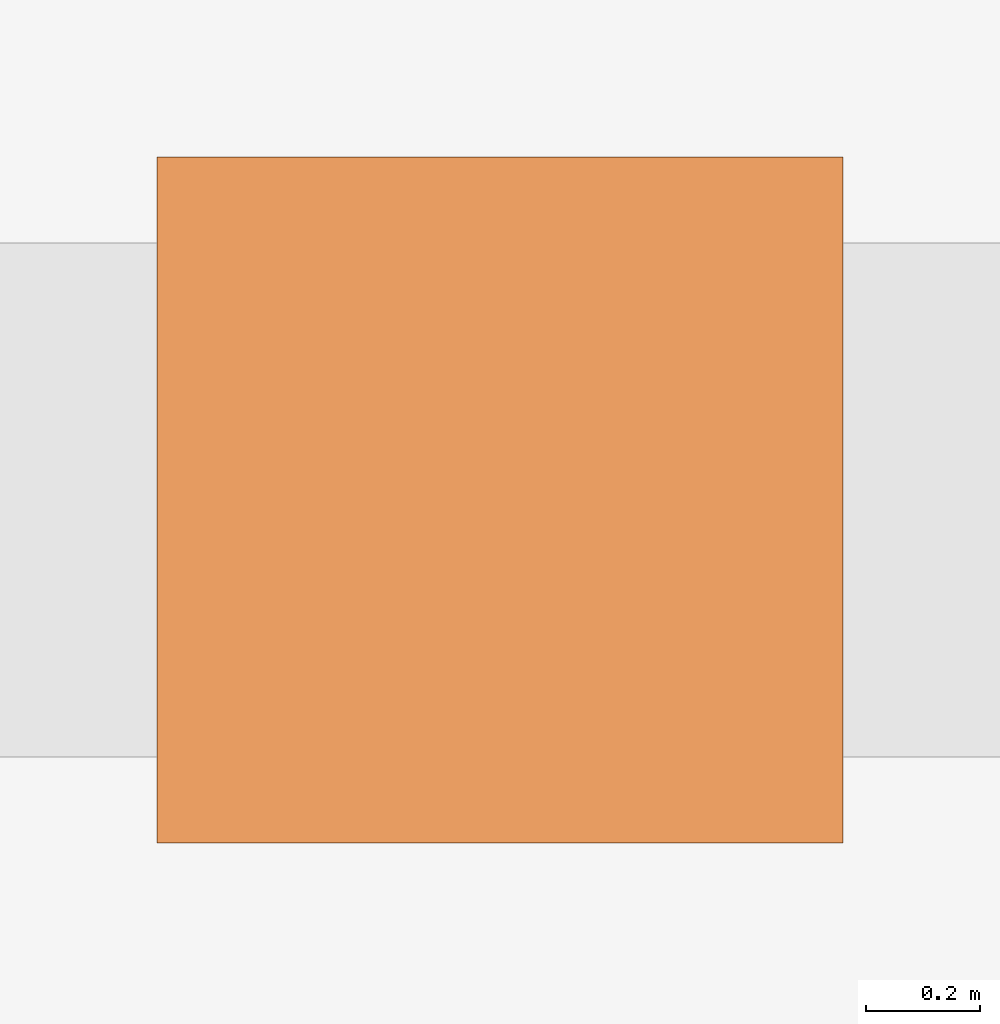
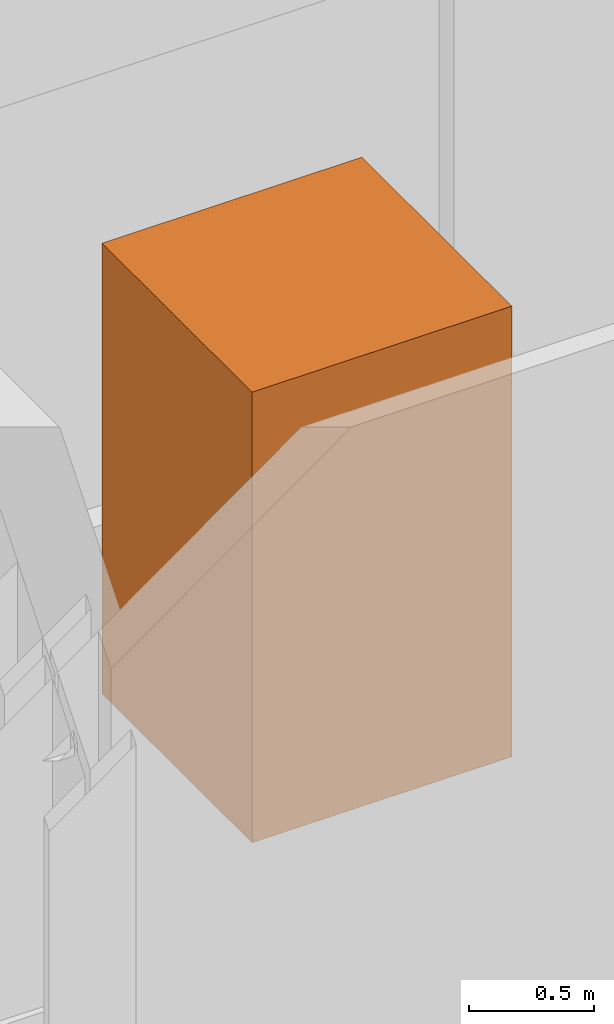
# One storey, part 10 of 10: 1 geographic element.
"""IFC4 building model written with IfcOpenShell, lengths in metres."""

from ifc_helpers import new_model, si_unit, direction, frame, origin, origin_2d, place, context, subcontext, project, spatial, rectangle, extrude, material, type_object, element, save


model = new_model("IFC4")

# Units and contexts
model_context = context("Model", 3, precision=1e-05, world=origin(), true_north=direction((0.0, 1.0)))
body_context = subcontext(model_context, "Body", "Model", "MODEL_VIEW")
ifc_project = project(units=[si_unit("LENGTHUNIT", "METRE"), si_unit("AREAUNIT", "SQUARE_METRE"), si_unit("VOLUMEUNIT", "CUBIC_METRE"), si_unit("PLANEANGLEUNIT", "RADIAN"), si_unit("MASSUNIT", "GRAM", prefix="KILO")], contexts=[model_context])

# Site, building, storey
site_placement = place(None, origin())
site = spatial("IfcSite", under=ifc_project, at=site_placement, CompositionType="ELEMENT")
building_placement = place(site_placement, origin())
building = spatial("IfcBuilding", under=site, at=building_placement, Name="Immortelle Media Tower", CompositionType="ELEMENT")
storey_placement = place(building_placement, frame((0.0, 0.0, 255.0)))
storey = spatial("IfcBuildingStorey", under=building, at=storey_placement, Name="L55", CompositionType="ELEMENT", Elevation=255.0)

# Geographic element
ifc_material = material(Name="Tree canopy foliage")
geographic_element_type = type_object("IfcGeographicElementType", Name="Tree", PredefinedType="USERDEFINED", material=ifc_material)
geographic_element_placement = place(storey_placement, frame((26.0, 1.550048828125, 0.60009765625), z_axis=(0.0, 0.0, 1.0), x_axis=(1.0, 0.0, 0.0)))
element("IfcGeographicElement", 1, at=geographic_element_placement, inside=storey, type_object=geographic_element_type, Name="Tree L55 S2", ObjectType="Tree", PredefinedType="USERDEFINED", context=body_context, shape_type="SweptSolid", body=[
    extrude(rectangle(XDim=1.199951171875, YDim=1.199951171875, at=origin_2d()), origin(), (0.0, 0.0, 1.0), 2.199951171875),
])

save(model, "model.ifc")
